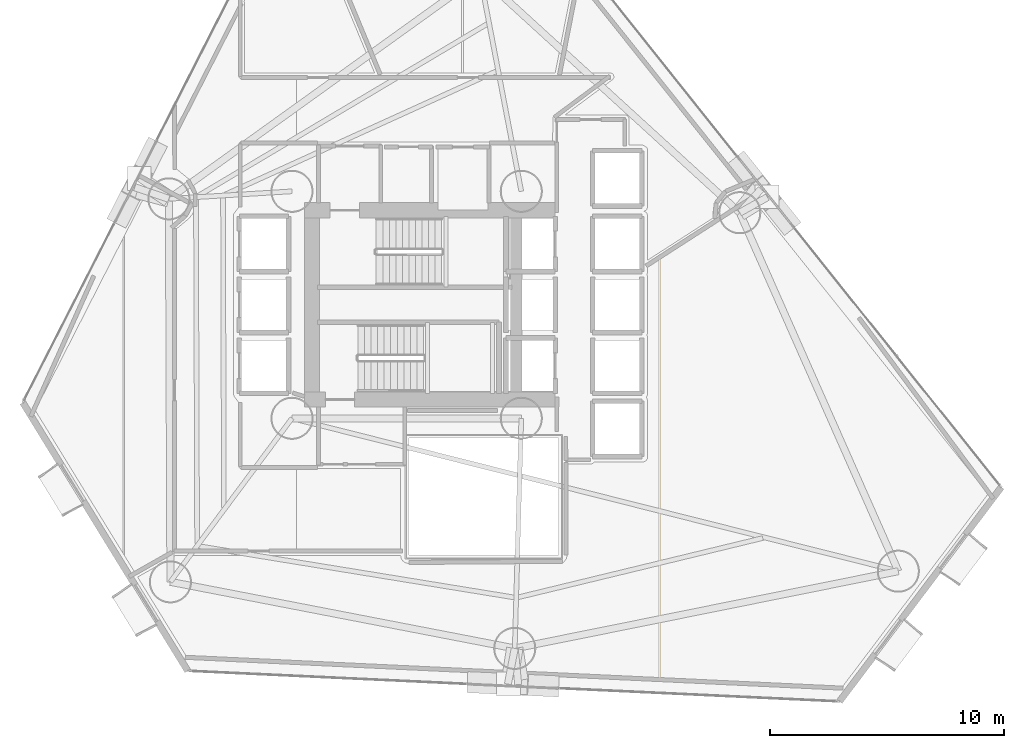
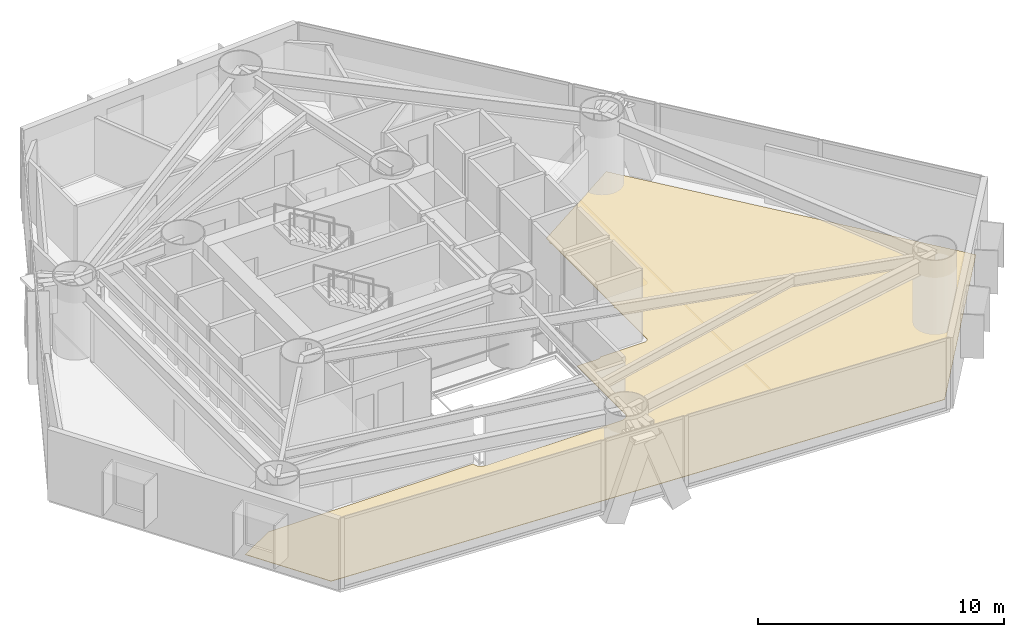
# One storey, part 21 of 23: 1 covering.
"""IFC4 building model written with IfcOpenShell, lengths in metres."""

from ifc_helpers import new_model, si_unit, direction, frame, origin, place, context, subcontext, project, spatial, polyline, outline, extrude, material, layer, layer_set, type_object, element, save


model = new_model("IFC4")

# Units and contexts
model_context = context("Model", 3, precision=1e-05, world=origin(), true_north=direction((0.0, 1.0)))
body_context = subcontext(model_context, "Body", "Model", "MODEL_VIEW")
ifc_project = project(units=[si_unit("LENGTHUNIT", "METRE"), si_unit("AREAUNIT", "SQUARE_METRE"), si_unit("VOLUMEUNIT", "CUBIC_METRE"), si_unit("PLANEANGLEUNIT", "RADIAN"), si_unit("MASSUNIT", "GRAM", prefix="KILO")], contexts=[model_context])

# Site, building, storey
site_placement = place(None, origin())
site = spatial("IfcSite", under=ifc_project, at=site_placement, CompositionType="ELEMENT")
building_placement = place(site_placement, origin())
building = spatial("IfcBuilding", under=site, at=building_placement, Name="Qianvela Tower", CompositionType="ELEMENT")
storey_placement = place(building_placement, frame((0.0, 0.0, 36.800048828125)))
storey = spatial("IfcBuildingStorey", under=building, at=storey_placement, Name="L08", CompositionType="ELEMENT", Elevation=36.800048828125)

# Covering
ifc_material = material(Name="Engineered Acoustic Oak Timber Flooring", Category="wood")
ifc_layer = layer(ifc_material, 0.02001953125)
ifc_layer_set = layer_set([ifc_layer], Name="Engineered Acoustic Oak Timber Flooring")
covering_type = type_object("IfcCoveringType", Name="COV-FLOOR-OAK-20", PredefinedType="FLOORING", material=ifc_layer_set)
covering_placement = place(storey_placement, origin())
element("IfcCovering", 1, at=covering_placement, inside=storey, type_object=covering_type, Name="L08 Finish Flooring Student Tea Pantry L08-02", PredefinedType="FLOORING", context=body_context, shape_type="SweptSolid", body=[
    extrude(outline(polyline([(23.634521484375, 17.989990234375), (33.24609375, 17.989990234375), (33.252197265625, 17.912353515625), (33.25341796875, 17.904296875), (33.25537109375, 17.896240234375), (33.258056640625, 17.888427734375), (33.261474609375, 17.881103515625), (33.31298828125, 17.78466796875), (33.31689453125, 17.77783203125), (33.32177734375, 17.771484375), (33.326904296875, 17.765869140625), (33.332763671875, 17.760498046875), (33.417236328125, 17.691162109375), (33.42431640625, 17.68603515625), (33.431884765625, 17.681640625), (33.440185546875, 17.677978515625), (33.448486328125, 17.675537109375), (33.58056640625, 17.642333984375), (33.5869140625, 17.64111328125), (33.593505859375, 17.640380859375), (33.60009765625, 17.639892578125), (40.0, 17.639892578125), (40.0078125, 17.640380859375), (40.015625, 17.6416015625), (40.023193359375, 17.643310546875), (40.1787109375, 17.690673828125), (40.185546875, 17.693115234375), (40.192138671875, 17.696044921875), (40.198486328125, 17.69970703125), (40.204345703125, 17.70361328125), (40.209716796875, 17.70849609375), (40.21484375, 17.71337890625), (40.30615234375, 17.814208984375), (40.311279296875, 17.8203125), (40.315673828125, 17.826904296875), (40.3193359375, 17.833740234375), (40.322265625, 17.841064453125), (40.324462890625, 17.8486328125), (40.357666015625, 17.980712890625), (40.35888671875, 17.987060546875), (40.359619140625, 17.993408203125), (40.360107421875, 18.0), (40.360107421875, 21.889892578125), (41.367919921875, 21.890380859375), (41.375732421875, 21.890869140625), (41.383544921875, 21.891845703125), (41.39111328125, 21.893798828125), (41.3984375, 21.896484375), (41.405517578125, 21.89990234375), (41.45947265625, 21.9287109375), (41.46630859375, 21.932861328125), (41.472900390625, 21.9375), (41.478759765625, 21.943115234375), (41.48388671875, 21.948974609375), (41.48876953125, 21.955322265625), (41.492919921875, 21.96240234375), (41.49609375, 21.969482421875), (41.498779296875, 21.97705078125), (41.49951171875, 21.97998046875), (43.59375, 21.980712890625), (43.6015625, 21.981201171875), (43.609375, 21.982177734375), (43.616943359375, 21.984130859375), (43.624267578125, 21.98681640625), (43.699462890625, 22.017822265625), (43.70654296875, 22.021240234375), (43.71337890625, 22.025390625), (43.719482421875, 22.02978515625), (43.725341796875, 22.03515625), (43.730712890625, 22.041015625), (43.7353515625, 22.04736328125), (43.780517578125, 22.114990234375), (43.784423828125, 22.12158203125), (43.787841796875, 22.128662109375), (43.79052734375, 22.135986328125), (43.79248046875, 22.1435546875), (43.793701171875, 22.1513671875), (43.7939453125, 22.1591796875), (43.800048828125, 24.599853515625), (43.7998046875, 24.606689453125), (43.798828125, 24.613525390625), (43.79736328125, 24.620361328125), (43.79541015625, 24.626953125), (43.763427734375, 24.7158203125), (43.760498046875, 24.722900390625), (43.7568359375, 24.72998046875), (43.75244140625, 24.736572265625), (43.74755859375, 24.742431640625), (43.741943359375, 24.748046875), (43.736083984375, 24.7529296875), (43.771240234375, 24.795654296875), (43.77587890625, 24.802001953125), (43.77978515625, 24.80859375), (43.783203125, 24.815673828125), (43.785888671875, 24.822998046875), (43.787841796875, 24.83056640625), (43.788818359375, 24.83837890625), (43.789306640625, 24.84619140625), (43.800048828125, 27.2998046875), (43.799560546875, 27.3076171875), (43.798583984375, 27.315673828125), (43.79638671875, 27.323486328125), (43.793701171875, 27.3310546875), (43.7646484375, 27.39990234375), (43.793701171875, 27.468994140625), (43.79638671875, 27.476318359375), (43.79833984375, 27.484130859375), (43.799560546875, 27.491943359375), (43.800048828125, 27.5), (43.800048828125, 29.89990234375), (43.799560546875, 29.907958984375), (43.79833984375, 29.915771484375), (43.79638671875, 29.923583984375), (43.793701171875, 29.93115234375), (43.765625, 29.997802734375), (43.79150390625, 30.051513671875), (43.794189453125, 30.05810546875), (43.79638671875, 30.06494140625), (43.798095703125, 30.072021484375), (43.799072265625, 30.0791015625), (43.79931640625, 30.086181640625), (43.7998046875, 30.344482421875), (48.276611328125, 33.230712890625), (58.348388671875, 20.617431640625), (52.11669921875, 12.36669921875), (24.083984375, 13.682373046875), (22.0048828125, 17.065185546875), (23.634521484375, 17.989990234375)])), origin(), (0.0, 0.0, 1.0), 0.02001953125),
])

save(model, "model.ifc")
